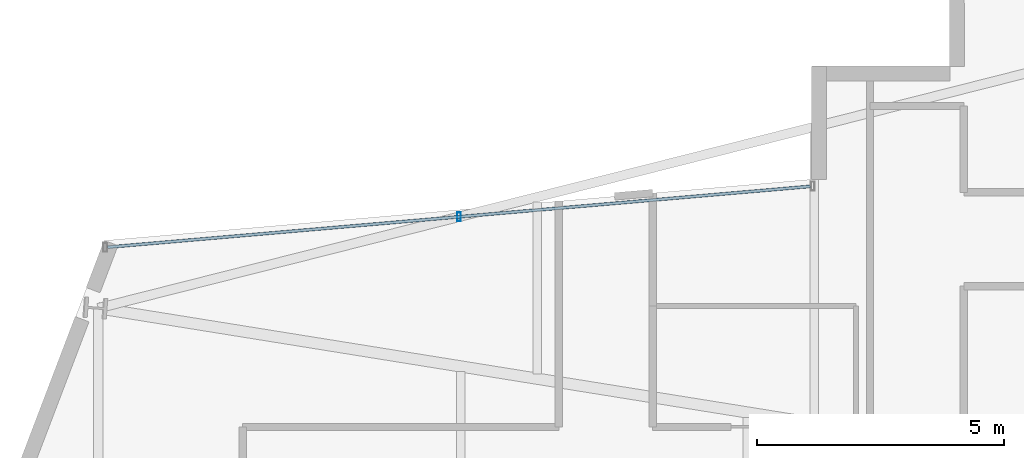
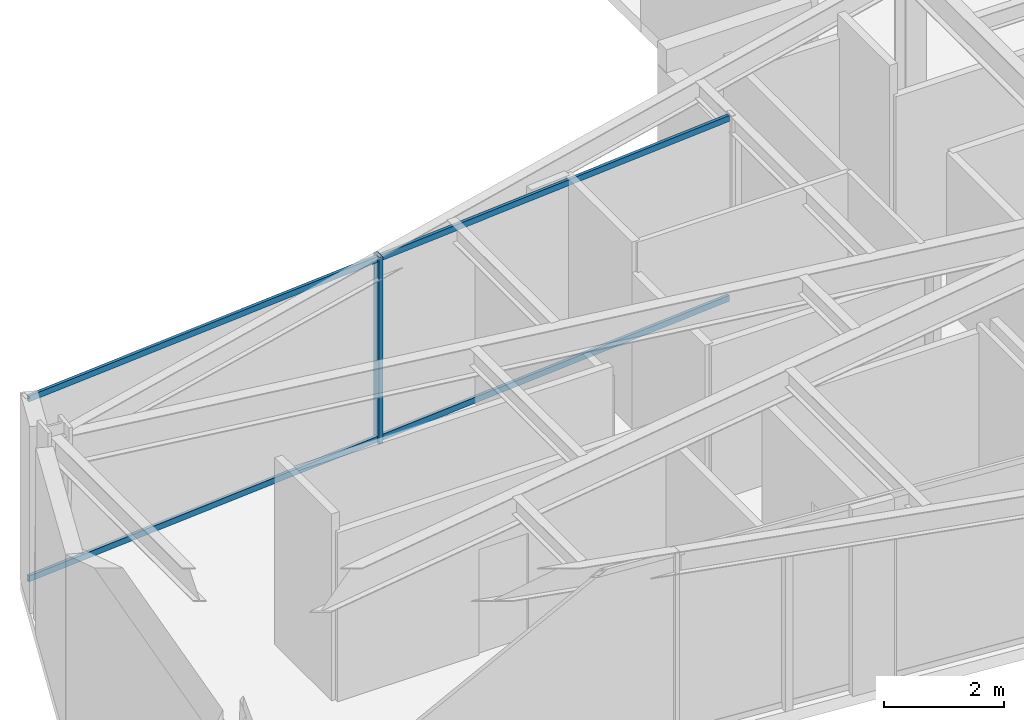
# One storey, part 9 of 23: 3 members, 1 element without a shape of its own.
"""IFC4 building model written with IfcOpenShell, lengths in metres."""

from ifc_helpers import new_model, si_unit, direction, frame, origin, origin_2d, place, context, subcontext, project, spatial, hollow_rectangle, extrude, material, layer, layer_set, material_profile, profile_set, type_object, element, aggregate, save


model = new_model("IFC4")

# Units and contexts
model_context = context("Model", 3, precision=1e-05, world=origin(), true_north=direction((0.0, 1.0)))
body_context = subcontext(model_context, "Body", "Model", "MODEL_VIEW")
ifc_project = project(units=[si_unit("LENGTHUNIT", "METRE"), si_unit("AREAUNIT", "SQUARE_METRE"), si_unit("VOLUMEUNIT", "CUBIC_METRE"), si_unit("PLANEANGLEUNIT", "RADIAN"), si_unit("MASSUNIT", "GRAM", prefix="KILO")], contexts=[model_context])

# Site, building, storey
site_placement = place(None, origin())
site = spatial("IfcSite", under=ifc_project, at=site_placement, CompositionType="ELEMENT")
building_placement = place(site_placement, origin())
building = spatial("IfcBuilding", under=site, at=building_placement, Name="Veymaron Broadcast Tower", CompositionType="ELEMENT")
storey_placement = place(building_placement, frame((0.0, 0.0, 161.39990234375)))
storey = spatial("IfcBuildingStorey", under=building, at=storey_placement, Name="L37", CompositionType="ELEMENT", Elevation=161.39990234375)

# Curtain wall, members
ifc_material_1 = material(Name="Anodised aluminium AA 6063-T6 and laminated low-E dark glass", Category="aluminium")
ifc_layer = layer(ifc_material_1, 0.179931640625)
ifc_layer_set = layer_set([ifc_layer], Name="Anodised aluminium AA 6063-T6 and laminated low-E dark glass")
curtain_wall_type = type_object("IfcCurtainWallType", Name="CW-SYS-03", PredefinedType="NOTDEFINED", material=ifc_layer_set)
curtain_wall_placement = place(storey_placement, origin())
curtain_wall = element("IfcCurtainWall", 1, at=curtain_wall_placement, inside=storey, type_object=curtain_wall_type, Name="L37 dark-glass curtain wall CW-L37-E11-1", PredefinedType="NOTDEFINED")
ifc_material_2 = material(Name="Anodised aluminium AA 6063-T6", Category="aluminium")
ifc_material_profile_1 = material_profile(ifc_material_2, hollow_rectangle(XDim=0.074951171875, YDim=0.179931640625, WallThickness=0.0048828125, at=origin_2d()), Name="AL180X75X5")
ifc_profile_set_1 = profile_set([ifc_material_profile_1], Name="Anodised aluminium AA 6063-T6")
member_type_1 = type_object("IfcMemberType", Name="CW-MUL-02", PredefinedType="MULLION", material=ifc_profile_set_1)
member_1_placement = place(storey_placement, frame((19.176025390625, 28.9560546875, 0.0), z_axis=(0.0, 0.0, 1.0), x_axis=(1.0, 0.0, 0.0)))
member_1 = element("IfcMember", 2, at=member_1_placement, type_object=member_type_1, Name="CW-L37-E11-1 mullion 1", PredefinedType="MULLION", context=body_context, shape_type="SweptSolid", body=[
    extrude(hollow_rectangle(XDim=0.074951171875, YDim=0.179931640625, WallThickness=0.0048828125, at=origin_2d()), origin(), (0.0, 0.0, 1.0), 3.81005859375),
])
ifc_material_profile_2 = material_profile(ifc_material_2, hollow_rectangle(XDim=0.06005859375, YDim=0.1201171875, WallThickness=0.00390625, at=origin_2d()), Name="AL120X60X4")
ifc_profile_set_2 = profile_set([ifc_material_profile_2], Name="Anodised aluminium AA 6063-T6")
member_type_2 = type_object("IfcMemberType", Name="CW-TRN-02", PredefinedType="USERDEFINED", material=ifc_profile_set_2)
member_2_placement = place(storey_placement, frame((26.290283203125, 29.57177734375, 0.070068359375), z_axis=(-0.996274061845, -0.086243803806, 0.0), x_axis=(0.086243803806, -0.996274061845, 0.0)))
member_2 = element("IfcMember", 3, at=member_2_placement, type_object=member_type_2, Name="CW-L37-E11-1 transom B", ObjectType="TRANSOM", PredefinedType="USERDEFINED", context=body_context, shape_type="SweptSolid", body=[
    extrude(hollow_rectangle(XDim=0.06005859375, YDim=0.1201171875, WallThickness=0.00390625, at=origin_2d()), origin(), (0.0, 0.0, 1.0), 14.281494140625),
])
member_3_placement = place(storey_placement, frame((26.290283203125, 29.57177734375, 3.739990234375), z_axis=(-0.996274061845, -0.086243803806, 0.0), x_axis=(0.086243803806, -0.996274061845, 0.0)))
member_3 = element("IfcMember", 4, at=member_3_placement, type_object=member_type_2, Name="CW-L37-E11-1 transom T", ObjectType="TRANSOM", PredefinedType="USERDEFINED", context=body_context, shape_type="SweptSolid", body=[
    extrude(hollow_rectangle(XDim=0.06005859375, YDim=0.1201171875, WallThickness=0.00390625, at=origin_2d()), origin(), (0.0, 0.0, 1.0), 14.281494140625),
])
aggregate(curtain_wall, [member_1, member_2, member_3])

save(model, "model.ifc")
